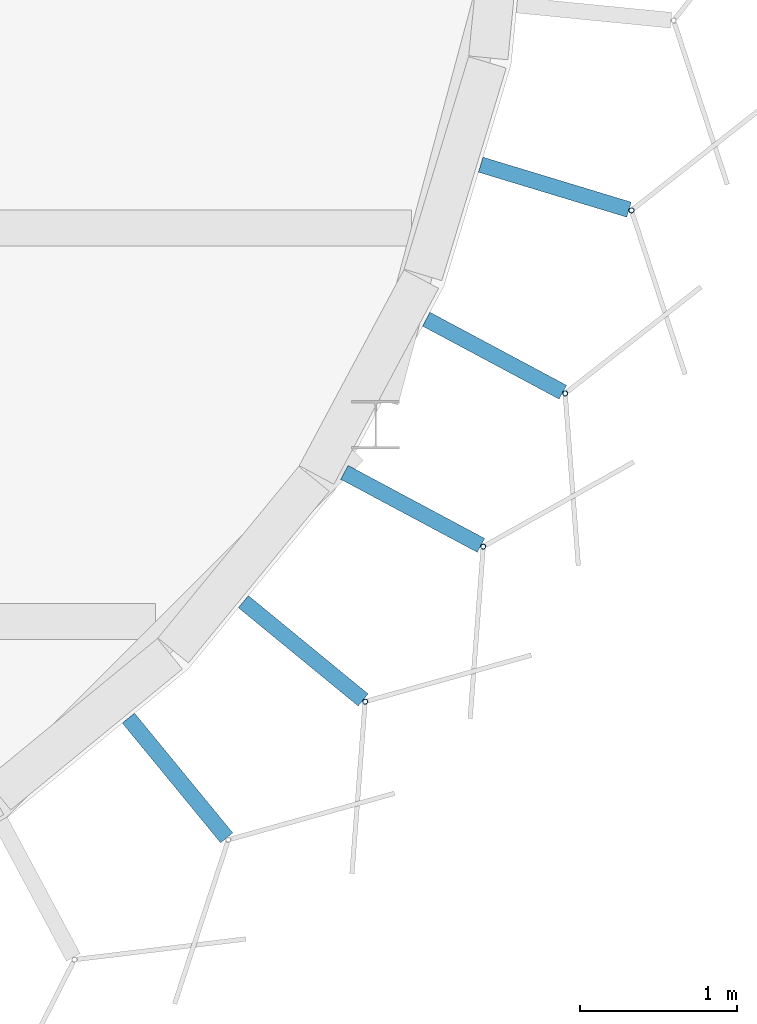
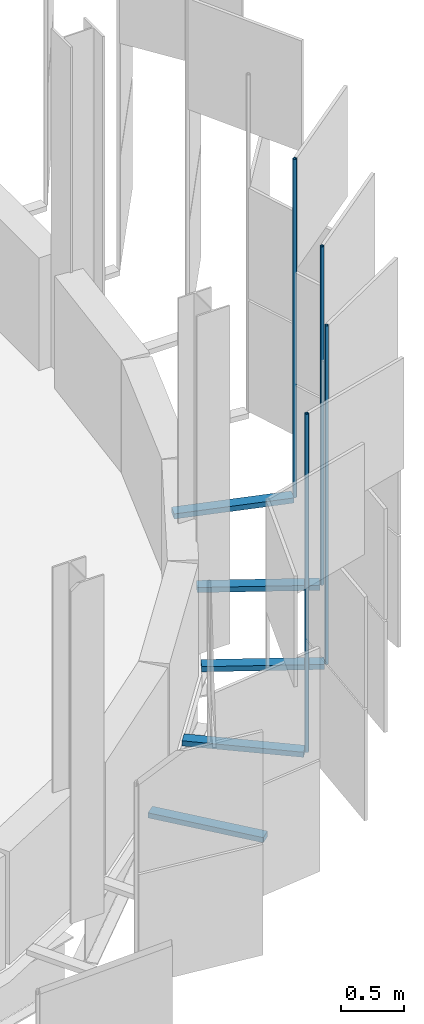
# One storey, part 89 of 198: 9 discrete accessories.
"""IFC4 building model written with IfcOpenShell, lengths in metres."""

import ifcopenshell
import ifcopenshell.guid

model = None  # the IFC model being written
_history = None  # IfcOwnerHistory: only IFC2X3 demands one
_inside = {}  # id of a spatial element -> (the spatial element, [elements in it])
_under = {}  # id of a project, library or spatial element -> (it, [spatial elements below it])
_declared = {}  # id of a project -> (the project, [libraries it declares])
_typed = {}  # id of a type object -> (the type object, [elements of that type])
_made_of = {}  # id of a material, layer set ... -> (it, [elements and type objects made of it])


def new_model(schema):
    """Start an empty IFC model of exactly this schema.

    Asked for "IFC4X3", IfcOpenShell would pick the latest addendum, in which some entities
    have other attributes; the version numbers below select the first issue.
    IFC2X3 requires an IfcOwnerHistory on every rooted entity: one is made here for all.
    """
    global model, _history
    if schema == "IFC4X3":
        model = ifcopenshell.file(schema_version=(4, 3, 0, 0))
    else:
        model = ifcopenshell.file(schema=schema)
    _inside.clear()
    _under.clear()
    _declared.clear()
    _typed.clear()
    _made_of.clear()
    _history = None
    if model.schema == "IFC2X3":
        org = make("IfcOrganization", Name="unknown")
        user = make(
            "IfcPersonAndOrganization",
            ThePerson=make("IfcPerson", FamilyName="unknown"),
            TheOrganization=org,
        )
        app = make(
            "IfcApplication",
            ApplicationDeveloper=org,
            Version="unknown",
            ApplicationFullName="unknown",
            ApplicationIdentifier="unknown",
        )
        _history = make(
            "IfcOwnerHistory",
            OwningUser=user,
            OwningApplication=app,
            ChangeAction="ADDED",
            CreationDate=0,
        )
    return model


def make(cls, **values):
    """One entity of the class cls with the attributes given. An attribute that is None is left unset."""
    return model.create_entity(
        cls, **{name: value for name, value in values.items() if value is not None}
    )


def rooted(cls, **values):
    """An entity with a GlobalId (a new one), such as an element, a storey or a relation."""
    return make(cls, GlobalId=ifcopenshell.guid.new(), OwnerHistory=_history, **values)


def si_unit(unit_type, name, prefix=None):
    """IfcSIUnit, for example si_unit("LENGTHUNIT", "METRE", prefix="MILLI")."""
    return make("IfcSIUnit", UnitType=unit_type, Prefix=prefix, Name=name)


def assignment(units):
    """IfcUnitAssignment: the units of a project."""
    return None if units is None else make("IfcUnitAssignment", Units=units)


def point(xyz):
    """IfcCartesianPoint."""
    return None if xyz is None else make("IfcCartesianPoint", Coordinates=xyz)


def direction(xyz):
    """IfcDirection."""
    return None if xyz is None else make("IfcDirection", DirectionRatios=xyz)


def frame(location, z_axis=None, x_axis=None):
    """IfcAxis2Placement3D, a coordinate frame: its origin and axes. An axis left out is left unset."""
    return make(
        "IfcAxis2Placement3D",
        Location=point(location),
        Axis=direction(z_axis),
        RefDirection=direction(x_axis),
    )


def frame_2d(location, x_axis=None):
    """IfcAxis2Placement2D, a coordinate frame in the plane: its origin and x axis."""
    return make(
        "IfcAxis2Placement2D", Location=point(location), RefDirection=direction(x_axis)
    )


def origin():
    """The frame at (0, 0, 0) with its axes left unset."""
    return frame((0.0, 0.0, 0.0))


def origin_2d():
    """The frame at (0, 0) in the plane with its x axis left unset."""
    return frame_2d((0.0, 0.0))


def place(relative_to, where):
    """IfcLocalPlacement: puts the frame where relative to a parent placement (None: the world)."""
    return make(
        "IfcLocalPlacement", PlacementRelTo=relative_to, RelativePlacement=where
    )


def context(
    kind, dimensions, precision=None, world=None, true_north=None, identifier=None
):
    """IfcGeometricRepresentationContext, for example the 3D "Model" context."""
    return make(
        "IfcGeometricRepresentationContext",
        ContextIdentifier=identifier,
        ContextType=kind,
        CoordinateSpaceDimension=dimensions,
        Precision=precision,
        WorldCoordinateSystem=world,
        TrueNorth=true_north,
    )


def subcontext(parent, identifier, kind, view, scale=None):
    """IfcGeometricRepresentationSubContext, for example "Body" below "Model"."""
    return make(
        "IfcGeometricRepresentationSubContext",
        ContextIdentifier=identifier,
        ContextType=kind,
        ParentContext=parent,
        TargetScale=scale,
        TargetView=view,
    )


def project(units=None, contexts=None):
    """IfcProject with its units and contexts."""
    return rooted(
        "IfcProject",
        Name="project",
        RepresentationContexts=contexts,
        UnitsInContext=assignment(units),
    )


def spatial(cls, under=None, at=None, **own):
    """A site, building, storey or space (cls), placed at a placement, below another one or the project."""
    s = rooted(cls, ObjectPlacement=at, **own)
    if under is not None:
        _under.setdefault(under.id(), (under, []))[1].append(s)
    return s


def profile(cls, at=None, kind="AREA", **sizes):
    """A parametric profile (cls). Its sizes go by their IFC names, for example OverallWidth=200.0."""
    return make(cls, ProfileType=kind, Position=at, **sizes)


def rectangle(**sizes):
    """IfcRectangleProfileDef."""
    return profile("IfcRectangleProfileDef", **sizes)


def hollow_circle(**sizes):
    """IfcCircleHollowProfileDef."""
    return profile("IfcCircleHollowProfileDef", **sizes)


def extrude(swept, where, along, depth):
    """IfcExtrudedAreaSolid: the profile swept, set in the frame where, extruded along a direction by depth."""
    return make(
        "IfcExtrudedAreaSolid",
        SweptArea=swept,
        Position=where,
        ExtrudedDirection=direction(along),
        Depth=depth,
    )


def shape(context_of_items, identifier, shape_type, items):
    """IfcShapeRepresentation: the items that make up one representation, for example the "Body"."""
    return make(
        "IfcShapeRepresentation",
        ContextOfItems=context_of_items,
        RepresentationIdentifier=identifier,
        RepresentationType=shape_type,
        Items=items,
    )


def material(Name=None, Category=None):
    """IfcMaterial."""
    return make("IfcMaterial", Name=Name, Category=Category)


def material_profile(
    of_material, cross_section, Name=None, Category=None, Priority=None
):
    """IfcMaterialProfile: a cross section and its material."""
    return make(
        "IfcMaterialProfile",
        Name=Name,
        Material=of_material,
        Profile=cross_section,
        Priority=Priority,
        Category=Category,
    )


def profile_set(profiles, Name=None, composite=None):
    """IfcMaterialProfileSet."""
    return make(
        "IfcMaterialProfileSet",
        Name=Name,
        MaterialProfiles=profiles,
        CompositeProfile=composite,
    )


def made_of(thing, what):
    """Note that an element or type object is made of a material, layer set ...; save() writes the relation."""
    if what is not None:
        _made_of.setdefault(what.id(), (what, []))[1].append(thing)
    return thing


def type_object(cls, material=None, **own):
    """A type object (cls), such as IfcWallType, which elements share."""
    return made_of(rooted(cls, **own), material)


def element(
    cls,
    number,
    at=None,
    inside=None,
    cuts=None,
    type_object=None,
    material=None,
    context=None,
    identifier="Body",
    shape_type=None,
    held_by="IfcProductDefinitionShape",
    body=None,
    shapes=None,
    **own,
):
    """One element of the class cls, such as IfcWall. Its Tag is "e" and its number.

    at: its placement. inside: the storey or other place that contains it. cuts: it is an
    opening in that element (IfcRelVoidsElement). A single representation is given by context,
    identifier, shape_type and body (its items); several are given by shapes. held_by: the class
    of the entity that holds the representations. save() writes the other relations.
    """
    e = rooted(cls, Tag="e%d" % number, ObjectPlacement=at, **own)
    if body is not None:
        shapes = [shape(context, identifier, shape_type, body)]
    if shapes is not None:
        e.Representation = make(held_by, Representations=shapes)
    if inside is not None:
        _inside.setdefault(inside.id(), (inside, []))[1].append(e)
    if cuts is not None:
        rooted(
            "IfcRelVoidsElement", RelatingBuildingElement=cuts, RelatedOpeningElement=e
        )
    if type_object is not None:
        _typed.setdefault(type_object.id(), (type_object, []))[1].append(e)
    return made_of(e, material)


def aggregate(whole, parts):
    """IfcRelAggregates: a whole, such as a stair, and the parts it consists of."""
    return rooted("IfcRelAggregates", RelatingObject=whole, RelatedObjects=parts)


def save(model, path):
    """Write the relations noted so far, then the file.

    IfcRelAggregates (storeys below a building ...), IfcRelContainedInSpatialStructure (elements
    in a storey), IfcRelDefinesByType, IfcRelAssociatesMaterial and IfcRelDeclares: one each for
    every whole, place, type object, material and project.
    """
    for whole, parts in _under.values():
        aggregate(whole, parts)
    for where, things in _inside.values():
        rooted(
            "IfcRelContainedInSpatialStructure",
            RelatedElements=things,
            RelatingStructure=where,
        )
    for kind, things in _typed.values():
        rooted("IfcRelDefinesByType", RelatedObjects=things, RelatingType=kind)
    for what, things in _made_of.values():
        rooted("IfcRelAssociatesMaterial", RelatedObjects=things, RelatingMaterial=what)
    for by, libraries in _declared.values():
        rooted("IfcRelDeclares", RelatingContext=by, RelatedDefinitions=libraries)
    model.write(path)


model = new_model("IFC4")

# Units and contexts
model_context = context("Model", 3, precision=1e-05, world=origin(), true_north=direction((0.0, 1.0)))
body_context = subcontext(model_context, "Body", "Model", "MODEL_VIEW")
ifc_project = project(units=[si_unit("LENGTHUNIT", "METRE"), si_unit("AREAUNIT", "SQUARE_METRE"), si_unit("VOLUMEUNIT", "CUBIC_METRE"), si_unit("PLANEANGLEUNIT", "RADIAN"), si_unit("MASSUNIT", "GRAM", prefix="KILO")], contexts=[model_context])

# Site, building, storey
site_placement = place(None, origin())
site = spatial("IfcSite", under=ifc_project, at=site_placement, CompositionType="ELEMENT")
building_placement = place(site_placement, origin())
building = spatial("IfcBuilding", under=site, at=building_placement, Name="Parallax Yard Mobility Hub", CompositionType="ELEMENT")
storey_placement = place(building_placement, frame((0.0, 0.0, 6.60009765625)))
storey = spatial("IfcBuildingStorey", under=building, at=storey_placement, Name="L02", CompositionType="ELEMENT", Elevation=6.60009765625)

# Discrete accessories
ifc_material_1 = material(Name="Steel ASTM A36, hot-dip galvanised", Category="steel")
discrete_accessory_type_1 = type_object("IfcDiscreteAccessoryType", Name="Hinge bracket plate 100x50", PredefinedType="BRACKET", material=ifc_material_1)
for number, where, z_axis, x_axis, name in (
    (1, (222.73681640625, 24.006103515625, -0.02490234375), (0.0, 0.0, 1.0), (0.634393284164, -0.773010453363, 0.0), "Hinge bracket plate bay 32.6 level L02"),
    (2, (223.535400390625, 24.81396484375, -0.02490234375), (0.0, 0.0, 1.0), (0.773010453363, -0.634393284164, 0.0), "Hinge bracket plate bay 32.7 level L02"),
    (3, (224.230712890625, 25.7158203125, -0.02490234375), (0.0, 0.0, 1.0), (0.881921264348, -0.471396736826, 0.0), "Hinge bracket plate bay 32.8 level L02"),
    (4, (224.750732421875, 26.68896484375, -0.02490234375), (0.0, 0.0, 1.0), (0.881921264348, -0.471396736826, 0.0), "Hinge bracket plate bay 32.9 level L02"),
    (5, (225.1337890625, 27.759765625, -0.02490234375), (0.0, 0.0, 1.0), (0.956940335732, -0.290284677254, 0.0), "Hinge bracket plate bay 32.10 level L02"),
):
    element("IfcDiscreteAccessory", number, at=place(storey_placement, frame(where, z_axis=z_axis, x_axis=x_axis)), inside=storey, type_object=discrete_accessory_type_1, Name=name, PredefinedType="BRACKET", context=body_context, shape_type="SweptSolid", body=[
        extrude(rectangle(XDim=0.984130859375, YDim=0.10009765625, at=origin_2d()), origin(), (0.0, 0.0, 1.0), 0.050048828125),
    ])
ifc_material_2 = material(Name="Steel ASTM A500 Gr C, hot-dip galvanised", Category="steel")
ifc_material_profile = material_profile(ifc_material_2, hollow_circle(Radius=0.016845703125, WallThickness=0.003173828125, at=origin_2d()), Name="CHS 33.7x3.2")
ifc_profile_set = profile_set([ifc_material_profile], Name="Steel ASTM A500 Gr C, hot-dip galvanised")
discrete_accessory_type_2 = type_object("IfcDiscreteAccessoryType", Name="Hinge post CHS 33.7x3.2", PredefinedType="BRACKET", material=ifc_profile_set)
for number, where, z_axis, x_axis, name in (
    (6, (223.928466796875, 24.491455078125, 0.0), (0.0, 0.0, 1.0), (1.0, 0.0, 0.0), "Hinge post bay 32.7 level L02"),
    (7, (224.678955078125, 25.47607421875, 0.0), (0.0, 0.0, 1.0), (1.0, 0.0, 0.0), "Hinge post bay 32.8 level L02"),
    (8, (225.19921875, 26.44921875, 0.0), (0.0, 0.0, 1.0), (1.0, 0.0, 0.0), "Hinge post bay 32.9 level L02"),
    (9, (225.620361328125, 27.6123046875, 0.0), (0.0, 0.0, 1.0), (1.0, 0.0, 0.0), "Hinge post bay 32.10 level L02"),
):
    element("IfcDiscreteAccessory", number, at=place(storey_placement, frame(where, z_axis=z_axis, x_axis=x_axis)), inside=storey, type_object=discrete_accessory_type_2, Name=name, PredefinedType="BRACKET", context=body_context, shape_type="SweptSolid", body=[
        extrude(hollow_circle(Radius=0.016845703125, WallThickness=0.003173828125, at=origin_2d()), origin(), (0.0, 0.0, 1.0), 3.2998046875),
    ])

save(model, "model.ifc")
